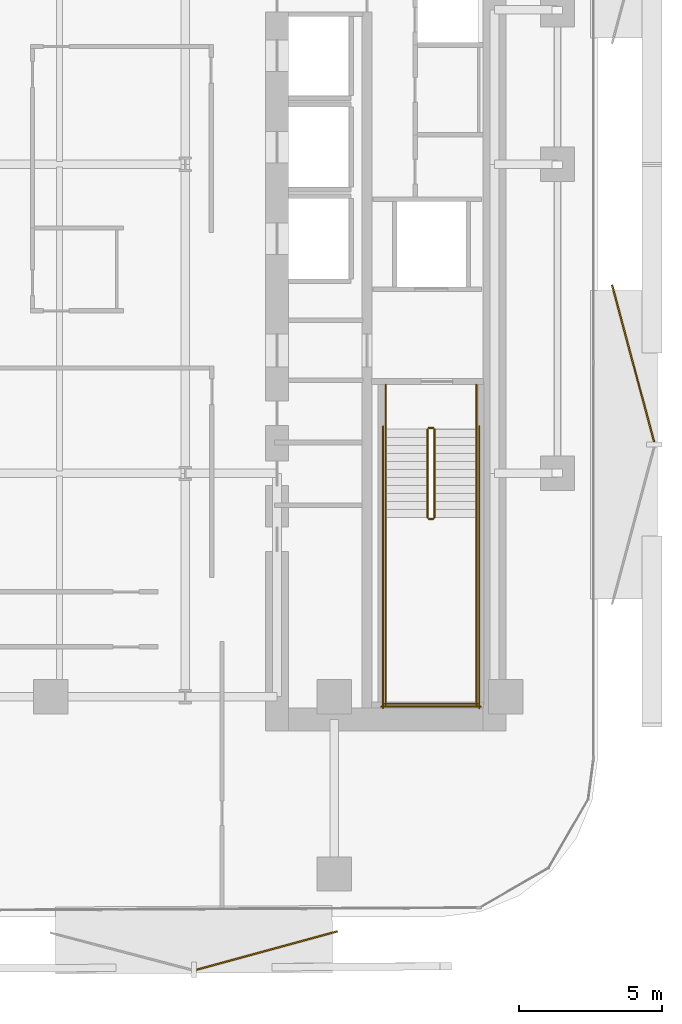
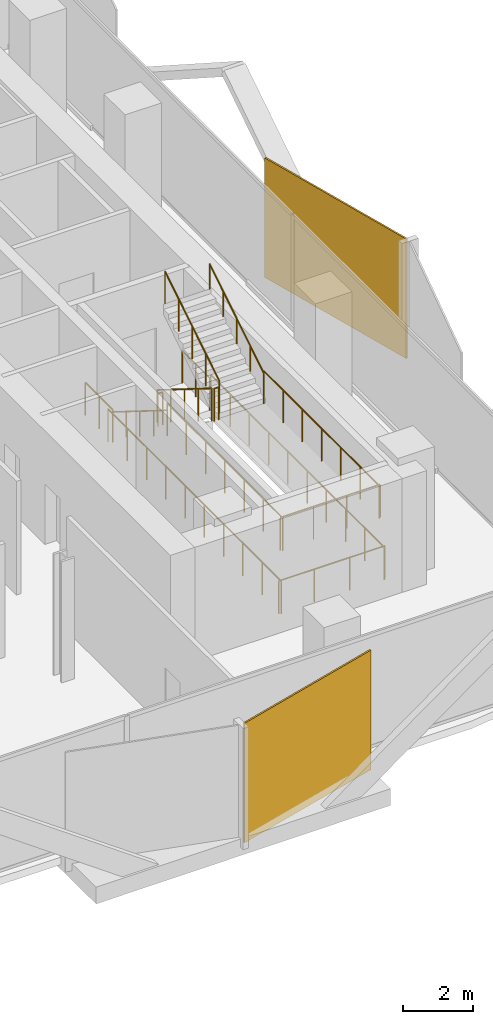
# One storey, part 13 of 15: 14 railings, 2 coverings.
"""IFC4 building model written with IfcOpenShell, lengths in metres."""

import ifcopenshell
import ifcopenshell.guid

model = None  # the IFC model being written
_history = None  # IfcOwnerHistory: only IFC2X3 demands one
_inside = {}  # id of a spatial element -> (the spatial element, [elements in it])
_under = {}  # id of a project, library or spatial element -> (it, [spatial elements below it])
_declared = {}  # id of a project -> (the project, [libraries it declares])
_typed = {}  # id of a type object -> (the type object, [elements of that type])
_made_of = {}  # id of a material, layer set ... -> (it, [elements and type objects made of it])


def new_model(schema):
    """Start an empty IFC model of exactly this schema.

    Asked for "IFC4X3", IfcOpenShell would pick the latest addendum, in which some entities
    have other attributes; the version numbers below select the first issue.
    IFC2X3 requires an IfcOwnerHistory on every rooted entity: one is made here for all.
    """
    global model, _history
    if schema == "IFC4X3":
        model = ifcopenshell.file(schema_version=(4, 3, 0, 0))
    else:
        model = ifcopenshell.file(schema=schema)
    _inside.clear()
    _under.clear()
    _declared.clear()
    _typed.clear()
    _made_of.clear()
    _history = None
    if model.schema == "IFC2X3":
        org = make("IfcOrganization", Name="unknown")
        user = make(
            "IfcPersonAndOrganization",
            ThePerson=make("IfcPerson", FamilyName="unknown"),
            TheOrganization=org,
        )
        app = make(
            "IfcApplication",
            ApplicationDeveloper=org,
            Version="unknown",
            ApplicationFullName="unknown",
            ApplicationIdentifier="unknown",
        )
        _history = make(
            "IfcOwnerHistory",
            OwningUser=user,
            OwningApplication=app,
            ChangeAction="ADDED",
            CreationDate=0,
        )
    return model


def make(cls, **values):
    """One entity of the class cls with the attributes given. An attribute that is None is left unset."""
    return model.create_entity(
        cls, **{name: value for name, value in values.items() if value is not None}
    )


def rooted(cls, **values):
    """An entity with a GlobalId (a new one), such as an element, a storey or a relation."""
    return make(cls, GlobalId=ifcopenshell.guid.new(), OwnerHistory=_history, **values)


def si_unit(unit_type, name, prefix=None):
    """IfcSIUnit, for example si_unit("LENGTHUNIT", "METRE", prefix="MILLI")."""
    return make("IfcSIUnit", UnitType=unit_type, Prefix=prefix, Name=name)


def assignment(units):
    """IfcUnitAssignment: the units of a project."""
    return None if units is None else make("IfcUnitAssignment", Units=units)


def point(xyz):
    """IfcCartesianPoint."""
    return None if xyz is None else make("IfcCartesianPoint", Coordinates=xyz)


def direction(xyz):
    """IfcDirection."""
    return None if xyz is None else make("IfcDirection", DirectionRatios=xyz)


def frame(location, z_axis=None, x_axis=None):
    """IfcAxis2Placement3D, a coordinate frame: its origin and axes. An axis left out is left unset."""
    return make(
        "IfcAxis2Placement3D",
        Location=point(location),
        Axis=direction(z_axis),
        RefDirection=direction(x_axis),
    )


def frame_2d(location, x_axis=None):
    """IfcAxis2Placement2D, a coordinate frame in the plane: its origin and x axis."""
    return make(
        "IfcAxis2Placement2D", Location=point(location), RefDirection=direction(x_axis)
    )


def origin():
    """The frame at (0, 0, 0) with its axes left unset."""
    return frame((0.0, 0.0, 0.0))


def origin_2d():
    """The frame at (0, 0) in the plane with its x axis left unset."""
    return frame_2d((0.0, 0.0))


def place(relative_to, where):
    """IfcLocalPlacement: puts the frame where relative to a parent placement (None: the world)."""
    return make(
        "IfcLocalPlacement", PlacementRelTo=relative_to, RelativePlacement=where
    )


def context(
    kind, dimensions, precision=None, world=None, true_north=None, identifier=None
):
    """IfcGeometricRepresentationContext, for example the 3D "Model" context."""
    return make(
        "IfcGeometricRepresentationContext",
        ContextIdentifier=identifier,
        ContextType=kind,
        CoordinateSpaceDimension=dimensions,
        Precision=precision,
        WorldCoordinateSystem=world,
        TrueNorth=true_north,
    )


def subcontext(parent, identifier, kind, view, scale=None):
    """IfcGeometricRepresentationSubContext, for example "Body" below "Model"."""
    return make(
        "IfcGeometricRepresentationSubContext",
        ContextIdentifier=identifier,
        ContextType=kind,
        ParentContext=parent,
        TargetScale=scale,
        TargetView=view,
    )


def project(units=None, contexts=None):
    """IfcProject with its units and contexts."""
    return rooted(
        "IfcProject",
        Name="project",
        RepresentationContexts=contexts,
        UnitsInContext=assignment(units),
    )


def spatial(cls, under=None, at=None, **own):
    """A site, building, storey or space (cls), placed at a placement, below another one or the project."""
    s = rooted(cls, ObjectPlacement=at, **own)
    if under is not None:
        _under.setdefault(under.id(), (under, []))[1].append(s)
    return s


def profile(cls, at=None, kind="AREA", **sizes):
    """A parametric profile (cls). Its sizes go by their IFC names, for example OverallWidth=200.0."""
    return make(cls, ProfileType=kind, Position=at, **sizes)


def rectangle(**sizes):
    """IfcRectangleProfileDef."""
    return profile("IfcRectangleProfileDef", **sizes)


def circle(**sizes):
    """IfcCircleProfileDef."""
    return profile("IfcCircleProfileDef", **sizes)


def extrude(swept, where, along, depth):
    """IfcExtrudedAreaSolid: the profile swept, set in the frame where, extruded along a direction by depth."""
    return make(
        "IfcExtrudedAreaSolid",
        SweptArea=swept,
        Position=where,
        ExtrudedDirection=direction(along),
        Depth=depth,
    )


def shape(context_of_items, identifier, shape_type, items):
    """IfcShapeRepresentation: the items that make up one representation, for example the "Body"."""
    return make(
        "IfcShapeRepresentation",
        ContextOfItems=context_of_items,
        RepresentationIdentifier=identifier,
        RepresentationType=shape_type,
        Items=items,
    )


def material(Name=None, Category=None):
    """IfcMaterial."""
    return make("IfcMaterial", Name=Name, Category=Category)


def layer(
    of_material, thickness, ventilated=None, Name=None, Category=None, Priority=None
):
    """IfcMaterialLayer: one layer of a wall or slab, of a material (None: an air gap)."""
    return make(
        "IfcMaterialLayer",
        Material=of_material,
        LayerThickness=thickness,
        IsVentilated=ventilated,
        Name=Name,
        Category=Category,
        Priority=Priority,
    )


def layer_set(layers, Name=None):
    """IfcMaterialLayerSet."""
    return make("IfcMaterialLayerSet", MaterialLayers=layers, LayerSetName=Name)


def made_of(thing, what):
    """Note that an element or type object is made of a material, layer set ...; save() writes the relation."""
    if what is not None:
        _made_of.setdefault(what.id(), (what, []))[1].append(thing)
    return thing


def type_object(cls, material=None, **own):
    """A type object (cls), such as IfcWallType, which elements share."""
    return made_of(rooted(cls, **own), material)


def element(
    cls,
    number,
    at=None,
    inside=None,
    cuts=None,
    type_object=None,
    material=None,
    context=None,
    identifier="Body",
    shape_type=None,
    held_by="IfcProductDefinitionShape",
    body=None,
    shapes=None,
    **own,
):
    """One element of the class cls, such as IfcWall. Its Tag is "e" and its number.

    at: its placement. inside: the storey or other place that contains it. cuts: it is an
    opening in that element (IfcRelVoidsElement). A single representation is given by context,
    identifier, shape_type and body (its items); several are given by shapes. held_by: the class
    of the entity that holds the representations. save() writes the other relations.
    """
    e = rooted(cls, Tag="e%d" % number, ObjectPlacement=at, **own)
    if body is not None:
        shapes = [shape(context, identifier, shape_type, body)]
    if shapes is not None:
        e.Representation = make(held_by, Representations=shapes)
    if inside is not None:
        _inside.setdefault(inside.id(), (inside, []))[1].append(e)
    if cuts is not None:
        rooted(
            "IfcRelVoidsElement", RelatingBuildingElement=cuts, RelatedOpeningElement=e
        )
    if type_object is not None:
        _typed.setdefault(type_object.id(), (type_object, []))[1].append(e)
    return made_of(e, material)


def aggregate(whole, parts):
    """IfcRelAggregates: a whole, such as a stair, and the parts it consists of."""
    return rooted("IfcRelAggregates", RelatingObject=whole, RelatedObjects=parts)


def save(model, path):
    """Write the relations noted so far, then the file.

    IfcRelAggregates (storeys below a building ...), IfcRelContainedInSpatialStructure (elements
    in a storey), IfcRelDefinesByType, IfcRelAssociatesMaterial and IfcRelDeclares: one each for
    every whole, place, type object, material and project.
    """
    for whole, parts in _under.values():
        aggregate(whole, parts)
    for where, things in _inside.values():
        rooted(
            "IfcRelContainedInSpatialStructure",
            RelatedElements=things,
            RelatingStructure=where,
        )
    for kind, things in _typed.values():
        rooted("IfcRelDefinesByType", RelatedObjects=things, RelatingType=kind)
    for what, things in _made_of.values():
        rooted("IfcRelAssociatesMaterial", RelatedObjects=things, RelatingMaterial=what)
    for by, libraries in _declared.values():
        rooted("IfcRelDeclares", RelatingContext=by, RelatedDefinitions=libraries)
    model.write(path)


model = new_model("IFC4")

# Units and contexts
model_context = context("Model", 3, precision=1e-05, world=origin(), true_north=direction((0.0, 1.0)))
body_context = subcontext(model_context, "Body", "Model", "MODEL_VIEW")
ifc_project = project(units=[si_unit("LENGTHUNIT", "METRE"), si_unit("AREAUNIT", "SQUARE_METRE"), si_unit("VOLUMEUNIT", "CUBIC_METRE"), si_unit("PLANEANGLEUNIT", "RADIAN"), si_unit("MASSUNIT", "GRAM", prefix="KILO")], contexts=[model_context])

# Site, building, storey
site_placement = place(None, origin())
site = spatial("IfcSite", under=ifc_project, at=site_placement, CompositionType="ELEMENT")
building_placement = place(site_placement, origin())
building = spatial("IfcBuilding", under=site, at=building_placement, Name="Khairoan Windgate Tower", CompositionType="ELEMENT")
storey_placement = place(building_placement, frame((0.0, 0.0, 114.199951171875)))
storey = spatial("IfcBuildingStorey", under=building, at=storey_placement, Name="L26", CompositionType="ELEMENT", Elevation=114.199951171875)

# Coverings
ifc_material_1 = material(Name="Anodised Bronze Aluminium 6063-T6", Category="aluminium")
ifc_layer = layer(ifc_material_1, 0.054931640625, Name="Anodised Bronze Aluminium 6063-T6")
ifc_layer_set = layer_set([ifc_layer], Name="Anodised Bronze Aluminium 6063-T6")
covering_type = type_object("IfcCoveringType", Name="Perforated Bronze-Ceramic Folded Solar Screen Cladding BSC-1", PredefinedType="CLADDING", material=ifc_layer_set)
covering_1_placement = place(storey_placement, frame((12.05322265625, -27.472412109375, -0.10009765625), z_axis=(0.0, 0.0, 1.0), x_axis=(-0.964649468762, -0.263536339841, 0.0)))
element("IfcCovering", 1, at=covering_1_placement, inside=storey, type_object=covering_type, Name="L26 Folded Bronze Solar Screen Facet 153L", PredefinedType="CLADDING", context=body_context, shape_type="SweptSolid", body=[
    extrude(rectangle(XDim=5.10107421875, YDim=0.054931640625, at=origin_2d()), origin(), (0.0, 0.0, 1.0), 4.139892578125),
])
covering_2_placement = place(storey_placement, frame((24.8447265625, -6.961669921875, -0.10009765625), z_axis=(0.0, 0.0, 1.0), x_axis=(0.258819045103, -0.965925826289, 0.0)))
element("IfcCovering", 2, at=covering_2_placement, inside=storey, type_object=covering_type, Name="L26 Folded Bronze Solar Screen Facet 160L", PredefinedType="CLADDING", context=body_context, shape_type="SweptSolid", body=[
    extrude(rectangle(XDim=5.680908203125, YDim=0.054931640625, at=origin_2d()), origin(), (0.0, 0.0, 1.0), 4.139892578125),
])

# Railings
ifc_material_2 = material(Name="Anodised Bronze Aluminium 6063-T6", Category="aluminium")
railing_type_1 = type_object("IfcRailingType", Name="Stair Wall Handrail SHR-900", PredefinedType="HANDRAIL", material=ifc_material_2)
railing_1_placement = place(storey_placement, frame((16.199951171875, -9.260009765625, 0.175048828125)))
element("IfcRailing", 3, at=railing_1_placement, inside=storey, type_object=railing_type_1, Name="L26 ST1 stair handrail 1", PredefinedType="HANDRAIL", context=body_context, shape_type="SweptSolid", body=[
    extrude(circle(Radius=0.02392578125, at=origin_2d()), frame((0.0, 0.0, 0.8759765625), z_axis=(0.0, -0.847998304005, 0.529998940003), x_axis=(1.0, 0.0, 0.0)), (0.0, 0.0, 1.0), 3.632080078125),
    extrude(circle(Radius=0.02099609375, at=origin_2d()), origin(), (0.0, 0.0, 1.0), 0.851806640625),
    extrude(circle(Radius=0.02099609375, at=origin_2d()), frame((0.0, -0.77001953125, 0.481201171875)), (0.0, 0.0, 1.0), 0.851806640625),
    extrude(circle(Radius=0.02099609375, at=origin_2d()), frame((0.0, -1.5400390625, 0.96240234375)), (0.0, 0.0, 1.0), 0.851806640625),
    extrude(circle(Radius=0.02099609375, at=origin_2d()), frame((0.0, -2.31005859375, 1.44384765625)), (0.0, 0.0, 1.0), 0.851806640625),
    extrude(circle(Radius=0.02099609375, at=origin_2d()), frame((0.0, -3.080078125, 1.925048828125)), (0.0, 0.0, 1.0), 0.851806640625),
])
railing_2_placement = place(storey_placement, frame((19.3701171875, -12.340087890625, 2.275146484375)))
element("IfcRailing", 4, at=railing_2_placement, inside=storey, type_object=railing_type_1, Name="L26 ST1 stair handrail 2", PredefinedType="HANDRAIL", context=body_context, shape_type="SweptSolid", body=[
    extrude(circle(Radius=0.02392578125, at=origin_2d()), frame((0.0, 0.0, 0.8759765625), z_axis=(0.0, 0.848028513186, 0.529950602248), x_axis=(-1.0, 0.0, 0.0)), (0.0, 0.0, 1.0), 3.632080078125),
    extrude(circle(Radius=0.02099609375, at=origin_2d()), origin(), (0.0, 0.0, 1.0), 0.851806640625),
    extrude(circle(Radius=0.02099609375, at=origin_2d()), frame((0.0, 0.77001953125, 0.481201171875)), (0.0, 0.0, 1.0), 0.851806640625),
    extrude(circle(Radius=0.02099609375, at=origin_2d()), frame((0.0, 1.5400390625, 0.96240234375)), (0.0, 0.0, 1.0), 0.851806640625),
    extrude(circle(Radius=0.02099609375, at=origin_2d()), frame((0.0, 2.31005859375, 1.443603515625)), (0.0, 0.0, 1.0), 0.851806640625),
    extrude(circle(Radius=0.02099609375, at=origin_2d()), frame((0.0, 3.080078125, 1.9248046875)), (0.0, 0.0, 1.0), 0.851806640625),
])
ifc_material_3 = material(Name="Steel S355", Category="steel")
railing_type_2 = type_object("IfcRailingType", Name="Stairwell Safety Guardrail SGR-1150", PredefinedType="GUARDRAIL", material=ifc_material_3)
railing_3_placement = place(storey_placement, frame((17.659912109375, -9.260009765625, 0.175048828125)))
element("IfcRailing", 5, at=railing_3_placement, inside=storey, type_object=railing_type_2, Name="L26 ST1 stair guard 1", PredefinedType="GUARDRAIL", context=body_context, shape_type="SweptSolid", body=[
    extrude(circle(Radius=0.02392578125, at=origin_2d()), frame((0.0, 0.0, 1.1259765625), z_axis=(0.0, -0.847998304005, 0.529998940003), x_axis=(1.0, 0.0, 0.0)), (0.0, 0.0, 1.0), 3.632080078125),
    extrude(circle(Radius=0.02099609375, at=origin_2d()), origin(), (0.0, 0.0, 1.0), 1.101806640625),
    extrude(circle(Radius=0.02099609375, at=origin_2d()), frame((0.0, -0.77001953125, 0.481201171875)), (0.0, 0.0, 1.0), 1.101806640625),
    extrude(circle(Radius=0.02099609375, at=origin_2d()), frame((0.0, -1.5400390625, 0.96240234375)), (0.0, 0.0, 1.0), 1.101806640625),
    extrude(circle(Radius=0.02099609375, at=origin_2d()), frame((0.0, -2.31005859375, 1.44384765625)), (0.0, 0.0, 1.0), 1.101806640625),
    extrude(circle(Radius=0.02099609375, at=origin_2d()), frame((0.0, -3.080078125, 1.925048828125)), (0.0, 0.0, 1.0), 1.101806640625),
])
railing_4_placement = place(storey_placement, frame((17.7099609375, -12.389892578125, 2.10009765625)))
element("IfcRailing", 6, at=railing_4_placement, inside=storey, type_object=railing_type_2, Name="L26 ST1 stair guard 2", PredefinedType="GUARDRAIL", context=body_context, shape_type="SweptSolid", body=[
    extrude(circle(Radius=0.02392578125, at=origin_2d()), frame((0.0, 0.0, 1.1259765625), z_axis=(1.0, 0.0, 0.0), x_axis=(0.0, 1.0, 0.0)), (0.0, 0.0, 1.0), 0.150146484375),
    extrude(circle(Radius=0.02099609375, at=origin_2d()), origin(), (0.0, 0.0, 1.0), 1.101806640625),
    extrude(circle(Radius=0.02099609375, at=origin_2d()), frame((0.150146484375, 0.0, 0.0)), (0.0, 0.0, 1.0), 1.101806640625),
])
for number, where, name in (
    (7, (16.199951171875, -12.340087890625, 2.10009765625), "L26 ST1 stair guard 3"),
    (8, (19.3701171875, -12.340087890625, 2.10009765625), "L26 ST1 stair guard 4"),
):
    element("IfcRailing", number, at=place(storey_placement, frame(where)), inside=storey, type_object=railing_type_2, Name=name, PredefinedType="GUARDRAIL", context=body_context, shape_type="SweptSolid", body=[
        extrude(circle(Radius=0.02392578125, at=origin_2d()), frame((0.0, 0.0, 1.1259765625), z_axis=(0.0, -1.0, 0.0), x_axis=(1.0, 0.0, 0.0)), (0.0, 0.0, 1.0), 6.559814453125),
        extrude(circle(Radius=0.02099609375, at=origin_2d()), origin(), (0.0, 0.0, 1.0), 1.101806640625),
        extrude(circle(Radius=0.02099609375, at=origin_2d()), frame((0.0, -1.09326171875, 0.0)), (0.0, 0.0, 1.0), 1.101806640625),
        extrude(circle(Radius=0.02099609375, at=origin_2d()), frame((0.0, -2.1865234375, 0.0)), (0.0, 0.0, 1.0), 1.101806640625),
        extrude(circle(Radius=0.02099609375, at=origin_2d()), frame((0.0, -3.27978515625, 0.0)), (0.0, 0.0, 1.0), 1.101806640625),
        extrude(circle(Radius=0.02099609375, at=origin_2d()), frame((0.0, -4.373291015625, 0.0)), (0.0, 0.0, 1.0), 1.101806640625),
        extrude(circle(Radius=0.02099609375, at=origin_2d()), frame((0.0, -5.466552734375, 0.0)), (0.0, 0.0, 1.0), 1.101806640625),
        extrude(circle(Radius=0.02099609375, at=origin_2d()), frame((0.0, -6.559814453125, 0.0)), (0.0, 0.0, 1.0), 1.101806640625),
    ])
railing_5_placement = place(storey_placement, frame((16.14990234375, -18.85009765625, 2.10009765625)))
element("IfcRailing", 9, at=railing_5_placement, inside=storey, type_object=railing_type_2, Name="L26 ST1 stair guard 5", PredefinedType="GUARDRAIL", context=body_context, shape_type="SweptSolid", body=[
    extrude(circle(Radius=0.02392578125, at=origin_2d()), frame((0.0, 0.0, 1.1259765625), z_axis=(1.0, 0.0, 0.0), x_axis=(0.0, 1.0, 0.0)), (0.0, 0.0, 1.0), 3.27001953125),
    extrude(circle(Radius=0.02099609375, at=origin_2d()), origin(), (0.0, 0.0, 1.0), 1.101806640625),
    extrude(circle(Radius=0.02099609375, at=origin_2d()), frame((1.090087890625, 0.0, 0.0)), (0.0, 0.0, 1.0), 1.101806640625),
    extrude(circle(Radius=0.02099609375, at=origin_2d()), frame((2.179931640625, 0.0, 0.0)), (0.0, 0.0, 1.0), 1.101806640625),
    extrude(circle(Radius=0.02099609375, at=origin_2d()), frame((3.27001953125, 0.0, 0.0)), (0.0, 0.0, 1.0), 1.101806640625),
])
railing_6_placement = place(storey_placement, frame((17.909912109375, -12.340087890625, 2.275146484375)))
element("IfcRailing", 10, at=railing_6_placement, inside=storey, type_object=railing_type_2, Name="L26 ST1 stair guard 6", PredefinedType="GUARDRAIL", context=body_context, shape_type="SweptSolid", body=[
    extrude(circle(Radius=0.02392578125, at=origin_2d()), frame((0.0, 0.0, 1.1259765625), z_axis=(0.0, 0.848028513186, 0.529950602248), x_axis=(-1.0, 0.0, 0.0)), (0.0, 0.0, 1.0), 3.632080078125),
    extrude(circle(Radius=0.02099609375, at=origin_2d()), origin(), (0.0, 0.0, 1.0), 1.101806640625),
    extrude(circle(Radius=0.02099609375, at=origin_2d()), frame((0.0, 0.77001953125, 0.481201171875)), (0.0, 0.0, 1.0), 1.101806640625),
    extrude(circle(Radius=0.02099609375, at=origin_2d()), frame((0.0, 1.5400390625, 0.96240234375)), (0.0, 0.0, 1.0), 1.101806640625),
    extrude(circle(Radius=0.02099609375, at=origin_2d()), frame((0.0, 2.31005859375, 1.443603515625)), (0.0, 0.0, 1.0), 1.101806640625),
    extrude(circle(Radius=0.02099609375, at=origin_2d()), frame((0.0, 3.080078125, 1.9248046875)), (0.0, 0.0, 1.0), 1.101806640625),
])
railing_7_placement = place(storey_placement, frame((17.7099609375, -9.2099609375, 0.0)))
element("IfcRailing", 11, at=railing_7_placement, inside=storey, type_object=railing_type_2, Name="L26 ST1 stair guard 7", PredefinedType="GUARDRAIL", context=body_context, shape_type="SweptSolid", body=[
    extrude(circle(Radius=0.02392578125, at=origin_2d()), frame((0.0, 0.0, 1.1259765625), z_axis=(1.0, 0.0, 0.0), x_axis=(0.0, 1.0, 0.0)), (0.0, 0.0, 1.0), 0.150146484375),
    extrude(circle(Radius=0.02099609375, at=origin_2d()), origin(), (0.0, 0.0, 1.0), 1.101806640625),
    extrude(circle(Radius=0.02099609375, at=origin_2d()), frame((0.150146484375, 0.0, 0.0)), (0.0, 0.0, 1.0), 1.101806640625),
])
for number, where, name in (
    (12, (16.199951171875, -7.699951171875, 0.0), "L26 ST1 stair guard 8"),
    (13, (19.3701171875, -7.699951171875, 0.0), "L26 ST1 stair guard 9"),
):
    element("IfcRailing", number, at=place(storey_placement, frame(where)), inside=storey, type_object=railing_type_2, Name=name, PredefinedType="GUARDRAIL", context=body_context, shape_type="SweptSolid", body=[
        extrude(circle(Radius=0.02392578125, at=origin_2d()), frame((0.0, 0.0, 1.1259765625), z_axis=(0.0, -1.0, 0.0), x_axis=(1.0, 0.0, 0.0)), (0.0, 0.0, 1.0), 1.56005859375),
        extrude(circle(Radius=0.02099609375, at=origin_2d()), origin(), (0.0, 0.0, 1.0), 1.101806640625),
        extrude(circle(Radius=0.02099609375, at=origin_2d()), frame((0.0, -0.780029296875, 0.0)), (0.0, 0.0, 1.0), 1.101806640625),
        extrude(circle(Radius=0.02099609375, at=origin_2d()), frame((0.0, -1.56005859375, 0.0)), (0.0, 0.0, 1.0), 1.101806640625),
    ])
for number, where, name in (
    (14, (16.10009765625, -9.159912109375, 0.0), "L26 ST1 stair guard 10"),
    (15, (19.469970703125, -9.159912109375, 0.0), "L26 ST1 stair guard 11"),
):
    element("IfcRailing", number, at=place(storey_placement, frame(where)), inside=storey, type_object=railing_type_2, Name=name, PredefinedType="GUARDRAIL", context=body_context, shape_type="SweptSolid", body=[
        extrude(circle(Radius=0.02392578125, at=origin_2d()), frame((0.0, 0.0, 1.1259765625), z_axis=(0.0, -1.0, 0.0), x_axis=(1.0, 0.0, 0.0)), (0.0, 0.0, 1.0), 9.840087890625),
        extrude(circle(Radius=0.02099609375, at=origin_2d()), origin(), (0.0, 0.0, 1.0), 1.101806640625),
        extrude(circle(Radius=0.02099609375, at=origin_2d()), frame((0.0, -1.09326171875, 0.0)), (0.0, 0.0, 1.0), 1.101806640625),
        extrude(circle(Radius=0.02099609375, at=origin_2d()), frame((0.0, -2.186767578125, 0.0)), (0.0, 0.0, 1.0), 1.101806640625),
        extrude(circle(Radius=0.02099609375, at=origin_2d()), frame((0.0, -3.280029296875, 0.0)), (0.0, 0.0, 1.0), 1.101806640625),
        extrude(circle(Radius=0.02099609375, at=origin_2d()), frame((0.0, -4.373291015625, 0.0)), (0.0, 0.0, 1.0), 1.101806640625),
        extrude(circle(Radius=0.02099609375, at=origin_2d()), frame((0.0, -5.466796875, 0.0)), (0.0, 0.0, 1.0), 1.101806640625),
        extrude(circle(Radius=0.02099609375, at=origin_2d()), frame((0.0, -6.56005859375, 0.0)), (0.0, 0.0, 1.0), 1.101806640625),
        extrude(circle(Radius=0.02099609375, at=origin_2d()), frame((0.0, -7.6533203125, 0.0)), (0.0, 0.0, 1.0), 1.101806640625),
        extrude(circle(Radius=0.02099609375, at=origin_2d()), frame((0.0, -8.746826171875, 0.0)), (0.0, 0.0, 1.0), 1.101806640625),
        extrude(circle(Radius=0.02099609375, at=origin_2d()), frame((0.0, -9.840087890625, 0.0)), (0.0, 0.0, 1.0), 1.101806640625),
    ])
railing_8_placement = place(storey_placement, frame((16.050048828125, -18.949951171875, 0.0)))
element("IfcRailing", 16, at=railing_8_placement, inside=storey, type_object=railing_type_2, Name="L26 ST1 stair guard 12", PredefinedType="GUARDRAIL", context=body_context, shape_type="SweptSolid", body=[
    extrude(circle(Radius=0.02392578125, at=origin_2d()), frame((0.0, 0.0, 1.1259765625), z_axis=(1.0, 0.0, 0.0), x_axis=(0.0, 1.0, 0.0)), (0.0, 0.0, 1.0), 3.469970703125),
    extrude(circle(Radius=0.02099609375, at=origin_2d()), origin(), (0.0, 0.0, 1.0), 1.101806640625),
    extrude(circle(Radius=0.02099609375, at=origin_2d()), frame((1.15673828125, 0.0, 0.0)), (0.0, 0.0, 1.0), 1.101806640625),
    extrude(circle(Radius=0.02099609375, at=origin_2d()), frame((2.313232421875, 0.0, 0.0)), (0.0, 0.0, 1.0), 1.101806640625),
    extrude(circle(Radius=0.02099609375, at=origin_2d()), frame((3.469970703125, 0.0, 0.0)), (0.0, 0.0, 1.0), 1.101806640625),
])

save(model, "model.ifc")
